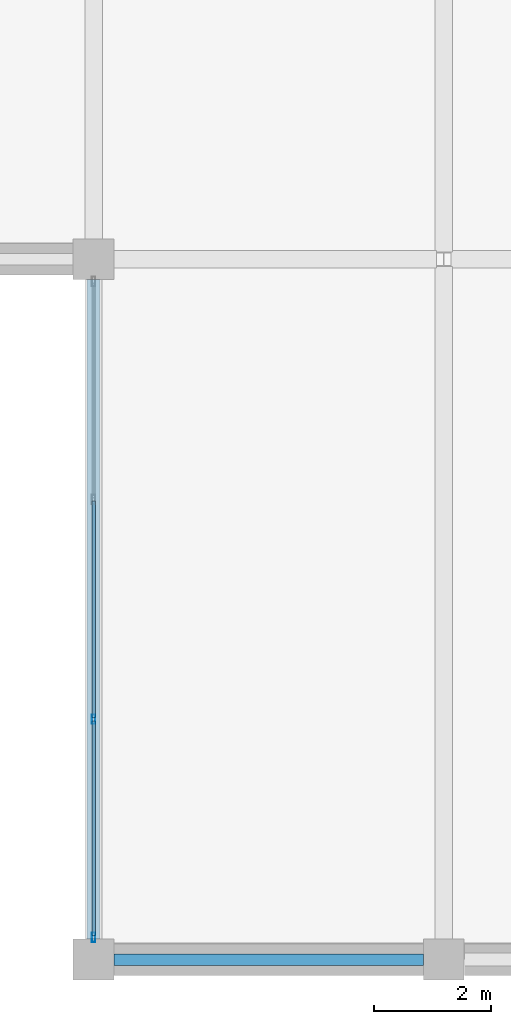
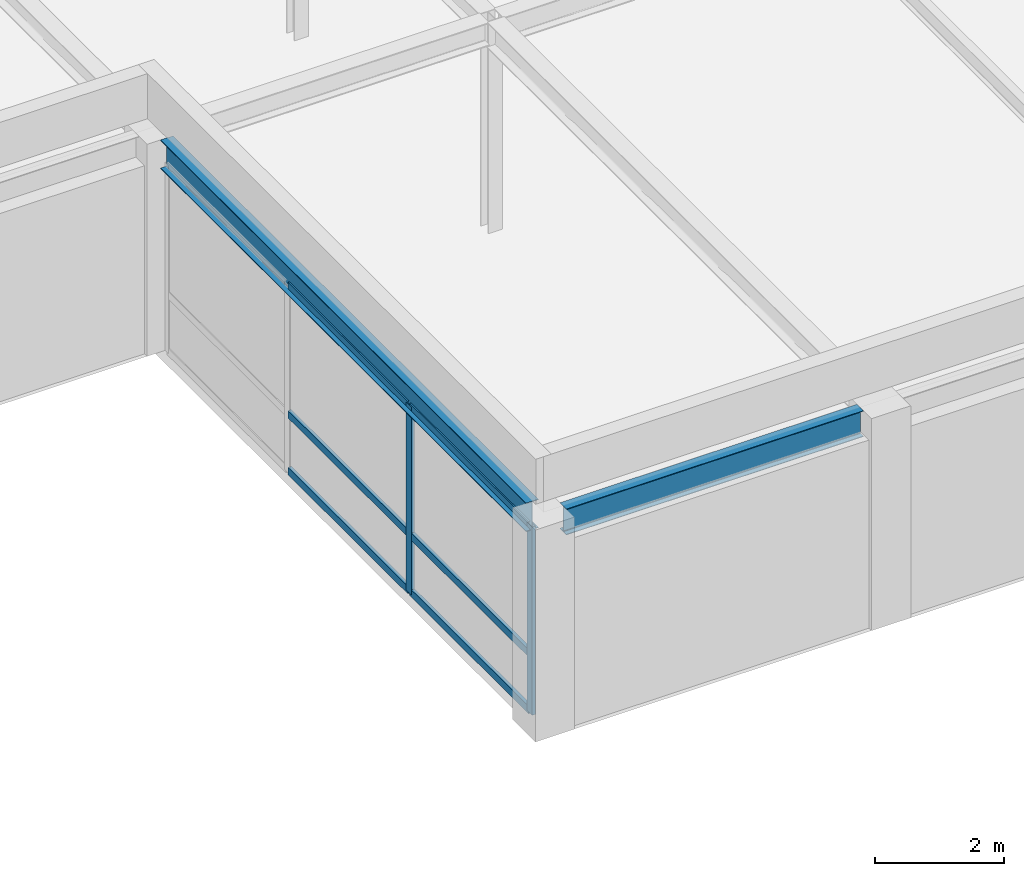
# One storey, part 59 of 111: 8 members, 2 beams, 1 element without a shape of its own.
"""IFC4 building model written with IfcOpenShell, lengths in metres."""

from ifc_helpers import new_model, si_unit, direction, frame, origin, origin_2d, place, context, subcontext, project, spatial, hollow_rectangle, i_section, extrude, material, layer, layer_set, material_profile, profile_set, type_object, element, aggregate, save


model = new_model("IFC4")

# Units and contexts
model_context = context("Model", 3, precision=1e-05, world=origin(), true_north=direction((0.0, 1.0)))
body_context = subcontext(model_context, "Body", "Model", "MODEL_VIEW")
ifc_project = project(units=[si_unit("LENGTHUNIT", "METRE"), si_unit("AREAUNIT", "SQUARE_METRE"), si_unit("VOLUMEUNIT", "CUBIC_METRE"), si_unit("PLANEANGLEUNIT", "RADIAN"), si_unit("MASSUNIT", "GRAM", prefix="KILO")], contexts=[model_context])

# Site, building, storey
site_placement = place(None, origin())
site = spatial("IfcSite", under=ifc_project, at=site_placement, CompositionType="ELEMENT")
building_placement = place(site_placement, origin())
building = spatial("IfcBuilding", under=site, at=building_placement, Name="Zlatovratsky Civic Hall", CompositionType="ELEMENT")
storey_placement = place(building_placement, frame((0.0, 0.0, 16.5)))
storey = spatial("IfcBuildingStorey", under=building, at=storey_placement, Name="L04", CompositionType="ELEMENT", Elevation=16.5)

# Beams
ifc_material_1 = material(Name="Steel S355", Category="steel")
ifc_material_profile_1 = material_profile(ifc_material_1, i_section(OverallWidth=0.198974609375, OverallDepth=0.491943359375, WebThickness=0.0087890625, FlangeThickness=0.011962890625, FilletRadius=0.01611328125, at=origin_2d()), Name="50B1")
ifc_profile_set_1 = profile_set([ifc_material_profile_1], Name="Steel S355")
beam_type_1 = type_object("IfcBeamType", Name="Beam_Spandrel_50B1", PredefinedType="SPANDREL", material=ifc_profile_set_1)
beam_1_placement = place(storey_placement, frame((114.35009765625, 0.0, 3.75390625), z_axis=(1.0, 0.0, 0.0), x_axis=(0.0, 1.0, 0.0)))
element("IfcBeam", 1, at=beam_1_placement, inside=storey, type_object=beam_type_1, Name="BM-3206", PredefinedType="SPANDREL", context=body_context, shape_type="SweptSolid", body=[
    extrude(i_section(OverallWidth=0.198974609375, OverallDepth=0.491943359375, WebThickness=0.0087890625, FlangeThickness=0.011962890625, FilletRadius=0.01611328125, at=origin_2d()), origin(), (0.0, 0.0, 1.0), 5.2998046875),
])
ifc_material_profile_2 = material_profile(ifc_material_1, i_section(OverallWidth=0.219970703125, OverallDepth=0.54296875, WebThickness=0.009521484375, FlangeThickness=0.013427734375, FilletRadius=0.01806640625, at=origin_2d()), Name="55B1")
ifc_profile_set_2 = profile_set([ifc_material_profile_2], Name="Steel S355")
beam_type_2 = type_object("IfcBeamType", Name="Beam_Spandrel_55B1", PredefinedType="SPANDREL", material=ifc_profile_set_2)
beam_2_placement = place(storey_placement, frame((114.0, 0.35009765625, 3.728515625), z_axis=(0.0, 1.0, 0.0), x_axis=(-1.0, 0.0, 0.0)))
element("IfcBeam", 2, at=beam_2_placement, inside=storey, type_object=beam_type_2, Name="BM-3722", PredefinedType="SPANDREL", context=body_context, shape_type="SweptSolid", body=[
    extrude(i_section(OverallWidth=0.219970703125, OverallDepth=0.54296875, WebThickness=0.009521484375, FlangeThickness=0.013427734375, FilletRadius=0.01806640625, at=origin_2d()), origin(), (0.0, 0.0, 1.0), 11.2998046875),
])

# Curtain wall, members
ifc_material_2 = material(Name="Anodised bronze aluminium", Category="aluminium")
ifc_layer = layer(ifc_material_2, 0.159912109375)
ifc_layer_set = layer_set([ifc_layer], Name="Anodised bronze aluminium")
curtain_wall_type = type_object("IfcCurtainWallType", Name="CurtainWall_Bronze_11300x3550_13", PredefinedType="NOTDEFINED", material=ifc_layer_set)
curtain_wall_placement = place(storey_placement, origin())
curtain_wall = element("IfcCurtainWall", 3, at=curtain_wall_placement, inside=storey, type_object=curtain_wall_type, Name="CW-088", PredefinedType="NOTDEFINED")
ifc_material_profile_3 = material_profile(ifc_material_2, hollow_rectangle(XDim=0.06005859375, YDim=0.159912109375, WallThickness=0.00390625, at=origin_2d()), Name="ALU 60x160x4")
ifc_profile_set_3 = profile_set([ifc_material_profile_3], Name="Anodised bronze aluminium")
member_type_1 = type_object("IfcMemberType", Name="CW_Mullion_60x160", PredefinedType="MULLION", material=ifc_profile_set_3)
member_1_placement = place(storey_placement, frame((114.0, 0.3798828125, 0.0), z_axis=(0.0, 0.0, 1.0), x_axis=(-1.0, 0.0, 0.0)))
member_1 = element("IfcMember", 4, at=member_1_placement, type_object=member_type_1, Name="CW-13 mullion 1", PredefinedType="MULLION", context=body_context, shape_type="SweptSolid", body=[
    extrude(hollow_rectangle(XDim=0.06005859375, YDim=0.159912109375, WallThickness=0.00390625, at=origin_2d()), origin(), (0.0, 0.0, 1.0), 3.550048828125),
])
member_2_placement = place(storey_placement, frame((114.0, 4.11669921875, 0.0), z_axis=(0.0, 0.0, 1.0), x_axis=(-1.0, 0.0, 0.0)))
member_2 = element("IfcMember", 5, at=member_2_placement, type_object=member_type_1, Name="CW-13 mullion 2", PredefinedType="MULLION", context=body_context, shape_type="SweptSolid", body=[
    extrude(hollow_rectangle(XDim=0.06005859375, YDim=0.159912109375, WallThickness=0.00390625, at=origin_2d()), origin(), (0.0, 0.0, 1.0), 3.550048828125),
])
ifc_material_profile_4 = material_profile(ifc_material_2, hollow_rectangle(XDim=0.06005859375, YDim=0.139892578125, WallThickness=0.00390625, at=origin_2d()), Name="ALU 60x140x4")
ifc_profile_set_4 = profile_set([ifc_material_profile_4], Name="Anodised bronze aluminium")
member_type_2 = type_object("IfcMemberType", Name="CW_Transom_60x140", PredefinedType="USERDEFINED", material=ifc_profile_set_4)
member_3_placement = place(storey_placement, frame((114.0, 0.409912109375, 0.030029296875), z_axis=(0.0, 1.0, 0.0), x_axis=(-1.0, 0.0, 0.0)))
member_3 = element("IfcMember", 6, at=member_3_placement, type_object=member_type_2, Name="CW-13 transom 1.1", ObjectType="TRANSOM", PredefinedType="USERDEFINED", context=body_context, shape_type="SweptSolid", body=[
    extrude(hollow_rectangle(XDim=0.06005859375, YDim=0.139892578125, WallThickness=0.00390625, at=origin_2d()), origin(), (0.0, 0.0, 1.0), 3.6767578125),
])
member_4_placement = place(storey_placement, frame((114.0, 0.409912109375, 1.10009765625), z_axis=(0.0, 1.0, 0.0), x_axis=(-1.0, 0.0, 0.0)))
member_4 = element("IfcMember", 7, at=member_4_placement, type_object=member_type_2, Name="CW-13 transom 1.2", ObjectType="TRANSOM", PredefinedType="USERDEFINED", context=body_context, shape_type="SweptSolid", body=[
    extrude(hollow_rectangle(XDim=0.06005859375, YDim=0.139892578125, WallThickness=0.00390625, at=origin_2d()), origin(), (0.0, 0.0, 1.0), 3.6767578125),
])
member_5_placement = place(storey_placement, frame((114.0, 0.409912109375, 3.52001953125), z_axis=(0.0, 1.0, 0.0), x_axis=(-1.0, 0.0, 0.0)))
member_5 = element("IfcMember", 8, at=member_5_placement, type_object=member_type_2, Name="CW-13 transom 1.3", ObjectType="TRANSOM", PredefinedType="USERDEFINED", context=body_context, shape_type="SweptSolid", body=[
    extrude(hollow_rectangle(XDim=0.06005859375, YDim=0.139892578125, WallThickness=0.00390625, at=origin_2d()), origin(), (0.0, 0.0, 1.0), 3.6767578125),
])
member_6_placement = place(storey_placement, frame((114.0, 4.146728515625, 0.030029296875), z_axis=(0.0, 1.0, 0.0), x_axis=(-1.0, 0.0, 0.0)))
member_6 = element("IfcMember", 9, at=member_6_placement, type_object=member_type_2, Name="CW-13 transom 2.1", ObjectType="TRANSOM", PredefinedType="USERDEFINED", context=body_context, shape_type="SweptSolid", body=[
    extrude(hollow_rectangle(XDim=0.06005859375, YDim=0.139892578125, WallThickness=0.00390625, at=origin_2d()), origin(), (0.0, 0.0, 1.0), 3.70654296875),
])
member_7_placement = place(storey_placement, frame((114.0, 4.146728515625, 1.10009765625), z_axis=(0.0, 1.0, 0.0), x_axis=(-1.0, 0.0, 0.0)))
member_7 = element("IfcMember", 10, at=member_7_placement, type_object=member_type_2, Name="CW-13 transom 2.2", ObjectType="TRANSOM", PredefinedType="USERDEFINED", context=body_context, shape_type="SweptSolid", body=[
    extrude(hollow_rectangle(XDim=0.06005859375, YDim=0.139892578125, WallThickness=0.00390625, at=origin_2d()), origin(), (0.0, 0.0, 1.0), 3.70654296875),
])
member_8_placement = place(storey_placement, frame((114.0, 4.146728515625, 3.52001953125), z_axis=(0.0, 1.0, 0.0), x_axis=(-1.0, 0.0, 0.0)))
member_8 = element("IfcMember", 11, at=member_8_placement, type_object=member_type_2, Name="CW-13 transom 2.3", ObjectType="TRANSOM", PredefinedType="USERDEFINED", context=body_context, shape_type="SweptSolid", body=[
    extrude(hollow_rectangle(XDim=0.06005859375, YDim=0.139892578125, WallThickness=0.00390625, at=origin_2d()), origin(), (0.0, 0.0, 1.0), 3.70654296875),
])
aggregate(curtain_wall, [member_1, member_2, member_3, member_4, member_5, member_6, member_7, member_8])

save(model, "model.ifc")
